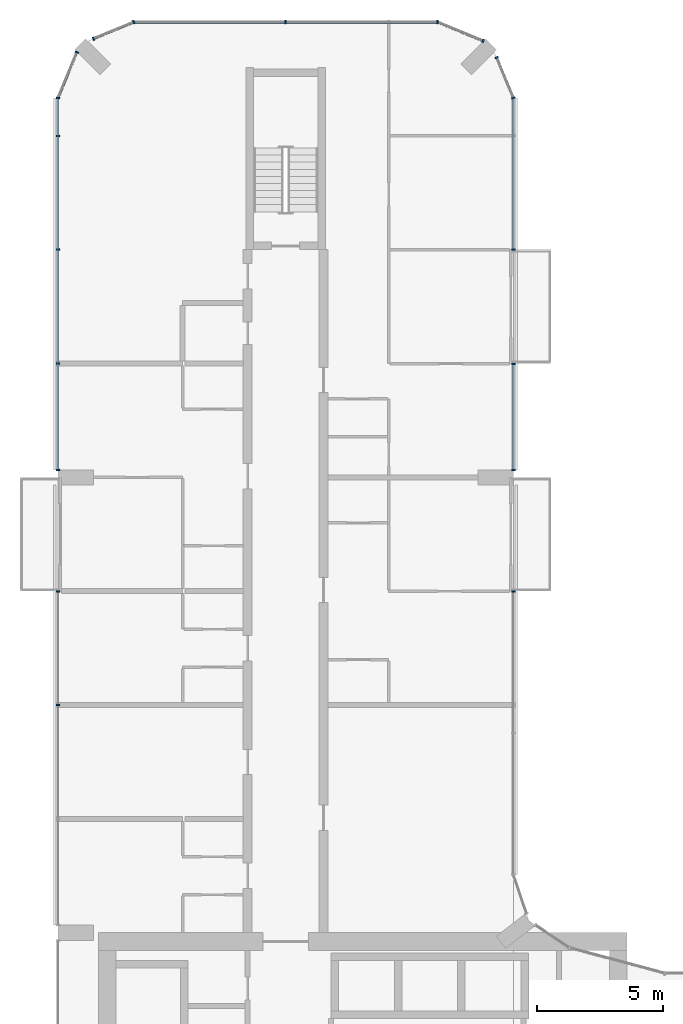
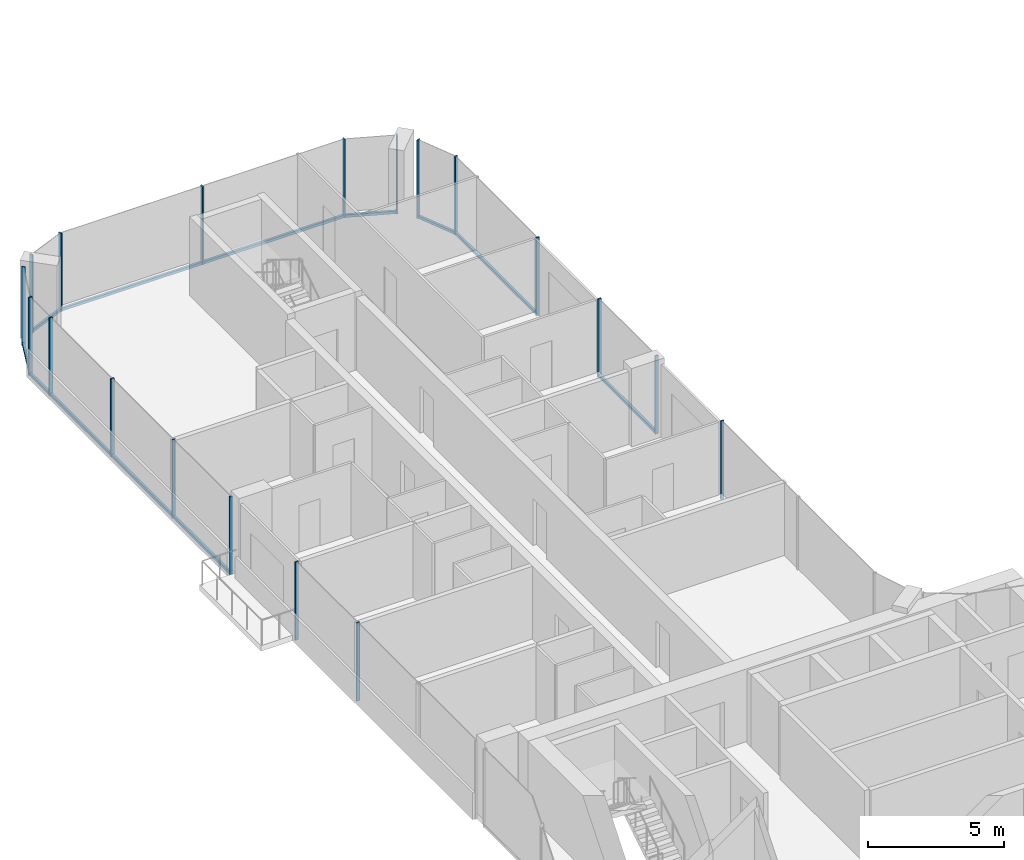
# One storey, part 6 of 22: 27 members, 10 elements without a shape of their own.
"""IFC4 building model written with IfcOpenShell, lengths in metres."""

from ifc_helpers import new_model, si_unit, direction, frame, origin, origin_2d, place, context, subcontext, project, spatial, rectangle, extrude, material, layer, layer_set, material_profile, profile_set, type_object, element, aggregate, save


model = new_model("IFC4")

# Units and contexts
model_context = context("Model", 3, precision=1e-05, world=origin(), true_north=direction((0.0, 1.0)))
body_context = subcontext(model_context, "Body", "Model", "MODEL_VIEW")
ifc_project = project(units=[si_unit("LENGTHUNIT", "METRE"), si_unit("AREAUNIT", "SQUARE_METRE"), si_unit("VOLUMEUNIT", "CUBIC_METRE"), si_unit("PLANEANGLEUNIT", "RADIAN"), si_unit("MASSUNIT", "GRAM", prefix="KILO")], contexts=[model_context])

# Site, building, storey
site_placement = place(None, origin())
site = spatial("IfcSite", under=ifc_project, at=site_placement, CompositionType="ELEMENT")
building_placement = place(site_placement, origin())
building = spatial("IfcBuilding", under=site, at=building_placement, Name="Plateau Cross Towers", CompositionType="ELEMENT")
storey_placement = place(building_placement, frame((0.0, 0.0, 65.300048828125)))
storey = spatial("IfcBuildingStorey", under=building, at=storey_placement, Name="L16", CompositionType="ELEMENT", Elevation=65.300048828125)

# Curtain wall, member
ifc_material_1 = material(Name="Dark low-iron glass", Category="glass")
ifc_layer = layer(ifc_material_1, 0.239990234375)
ifc_layer_set = layer_set([ifc_layer], Name="Dark low-iron glass")
curtain_wall_type = type_object("IfcCurtainWallType", Name="Curtain wall flush unitised CW-B", PredefinedType="NOTDEFINED", material=ifc_layer_set)
curtain_wall_1_placement = place(storey_placement, origin())
curtain_wall_1 = element("IfcCurtainWall", 1, at=curtain_wall_1_placement, inside=storey, type_object=curtain_wall_type, Name="ENV/A/L16/A180_203", PredefinedType="NOTDEFINED")
ifc_material_2 = material(Name="Black anodised aluminium", Category="aluminium")
ifc_material_profile_1 = material_profile(ifc_material_2, rectangle(XDim=0.06005859375, YDim=0.139892578125, at=origin_2d()), Name="MULLION 60x140")
ifc_profile_set_1 = profile_set([ifc_material_profile_1], Name="Black anodised aluminium")
member_type_1 = type_object("IfcMemberType", Name="Mullion 60x140 flush unitised", PredefinedType="MULLION", material=ifc_profile_set_1)
member_1_placement = place(storey_placement, frame((18.0, 31.489990234375, -0.25), z_axis=(0.0, 0.0, 1.0), x_axis=(0.0, 1.0, 0.0)))
member_1 = element("IfcMember", 2, at=member_1_placement, type_object=member_type_1, Name="CW-B mullion 3", PredefinedType="MULLION", context=body_context, shape_type="SweptSolid", body=[
    extrude(rectangle(XDim=0.06005859375, YDim=0.139892578125, at=origin_2d()), origin(), (0.0, 0.0, 1.0), 3.5),
])
aggregate(curtain_wall_1, [member_1])

# Curtain wall, members
curtain_wall_2_placement = place(storey_placement, origin())
curtain_wall_2 = element("IfcCurtainWall", 3, at=curtain_wall_2_placement, inside=storey, type_object=curtain_wall_type, Name="ENV/A/L16/A180_363", PredefinedType="NOTDEFINED")
member_2_placement = place(storey_placement, frame((18.0, 36.300048828125, -0.25), z_axis=(0.0, 0.0, 1.0), x_axis=(0.0, 1.0, 0.0)))
member_2 = element("IfcMember", 4, at=member_2_placement, type_object=member_type_1, Name="CW-B mullion 1", PredefinedType="MULLION", context=body_context, shape_type="SweptSolid", body=[
    extrude(rectangle(XDim=0.06005859375, YDim=0.139892578125, at=origin_2d()), origin(), (0.0, 0.0, 1.0), 3.5),
])
member_3_placement = place(storey_placement, frame((18.0, 40.489990234375, -0.25), z_axis=(0.0, 0.0, 1.0), x_axis=(0.0, 1.0, 0.0)))
member_3 = element("IfcMember", 5, at=member_3_placement, type_object=member_type_1, Name="CW-B mullion 2", PredefinedType="MULLION", context=body_context, shape_type="SweptSolid", body=[
    extrude(rectangle(XDim=0.06005859375, YDim=0.139892578125, at=origin_2d()), origin(), (0.0, 0.0, 1.0), 3.5),
])

# Curtain wall, member
curtain_wall_3_placement = place(storey_placement, origin())
curtain_wall_3 = element("IfcCurtainWall", 6, at=curtain_wall_3_placement, inside=storey, type_object=curtain_wall_type, Name="ENV/A/L16/A180_450", PredefinedType="NOTDEFINED")
member_4_placement = place(storey_placement, frame((18.0, 45.010009765625, -0.25), z_axis=(0.0, 0.0, 1.0), x_axis=(0.0, 1.0, 0.0)))
member_4 = element("IfcMember", 7, at=member_4_placement, type_object=member_type_1, Name="CW-B mullion 1", PredefinedType="MULLION", context=body_context, shape_type="SweptSolid", body=[
    extrude(rectangle(XDim=0.06005859375, YDim=0.139892578125, at=origin_2d()), origin(), (0.0, 0.0, 1.0), 3.5),
])

# Curtain wall, members
curtain_wall_4_placement = place(storey_placement, origin())
curtain_wall_4 = element("IfcCurtainWall", 8, at=curtain_wall_4_placement, inside=storey, type_object=curtain_wall_type, Name="ENV/A/L16/A180_510", PredefinedType="NOTDEFINED")
member_5_placement = place(storey_placement, frame((18.0, 51.0, -0.25), z_axis=(0.0, 0.0, 1.0), x_axis=(-0.382683612978, 0.923879457699, 0.0)))
member_5 = element("IfcMember", 9, at=member_5_placement, type_object=member_type_1, Name="CW-B mullion 1", PredefinedType="MULLION", context=body_context, shape_type="SweptSolid", body=[
    extrude(rectangle(XDim=0.06005859375, YDim=0.139892578125, at=origin_2d()), origin(), (0.0, 0.0, 1.0), 3.5),
])
member_6_placement = place(storey_placement, frame((17.338623046875, 52.5966796875, -0.25), z_axis=(0.0, 0.0, 1.0), x_axis=(-0.382683612978, 0.923879457699, 0.0)))
member_6 = element("IfcMember", 10, at=member_6_placement, type_object=member_type_1, Name="CW-B mullion 2", PredefinedType="MULLION", context=body_context, shape_type="SweptSolid", body=[
    extrude(rectangle(XDim=0.06005859375, YDim=0.139892578125, at=origin_2d()), origin(), (0.0, 0.0, 1.0), 3.5),
])

# Curtain wall, member
curtain_wall_5_placement = place(storey_placement, origin())
curtain_wall_5 = element("IfcCurtainWall", 11, at=curtain_wall_5_placement, inside=storey, type_object=curtain_wall_type, Name="ENV/A/L16/A168_533", PredefinedType="NOTDEFINED")
member_7_placement = place(storey_placement, frame((16.805908203125, 53.251953125, -0.25), z_axis=(0.0, 0.0, 1.0), x_axis=(-0.923879457699, 0.382683612978, 0.0)))
member_7 = element("IfcMember", 12, at=member_7_placement, type_object=member_type_1, Name="CW-B mullion 1", PredefinedType="MULLION", context=body_context, shape_type="SweptSolid", body=[
    extrude(rectangle(XDim=0.06005859375, YDim=0.139892578125, at=origin_2d()), origin(), (0.0, 0.0, 1.0), 3.5),
])

# Curtain wall, members
curtain_wall_6_placement = place(storey_placement, origin())
curtain_wall_6 = element("IfcCurtainWall", 13, at=curtain_wall_6_placement, inside=storey, type_object=curtain_wall_type, Name="ENV/A/L16/A150_540", PredefinedType="NOTDEFINED")
member_8_placement = place(storey_placement, frame((15.0, 54.0, -0.25), z_axis=(0.0, 0.0, 1.0), x_axis=(-1.0, 0.0, 0.0)))
member_8 = element("IfcMember", 14, at=member_8_placement, type_object=member_type_1, Name="CW-B mullion 1", PredefinedType="MULLION", context=body_context, shape_type="SweptSolid", body=[
    extrude(rectangle(XDim=0.06005859375, YDim=0.139892578125, at=origin_2d()), origin(), (0.0, 0.0, 1.0), 3.5),
])
member_9_placement = place(storey_placement, frame((9.0, 54.0, -0.25), z_axis=(0.0, 0.0, 1.0), x_axis=(-1.0, 0.0, 0.0)))
member_9 = element("IfcMember", 15, at=member_9_placement, type_object=member_type_1, Name="CW-B mullion 2", PredefinedType="MULLION", context=body_context, shape_type="SweptSolid", body=[
    extrude(rectangle(XDim=0.06005859375, YDim=0.139892578125, at=origin_2d()), origin(), (0.0, 0.0, 1.0), 3.5),
])

curtain_wall_7_placement = place(storey_placement, origin())
curtain_wall_7 = element("IfcCurtainWall", 16, at=curtain_wall_7_placement, inside=storey, type_object=curtain_wall_type, Name="ENV/A/L16/A30_540", PredefinedType="NOTDEFINED")
member_10_placement = place(storey_placement, frame((3.0, 54.0, -0.25), z_axis=(0.0, 0.0, 1.0), x_axis=(-0.923879457699, -0.382683612978, 0.0)))
member_10 = element("IfcMember", 17, at=member_10_placement, type_object=member_type_1, Name="CW-B mullion 1", PredefinedType="MULLION", context=body_context, shape_type="SweptSolid", body=[
    extrude(rectangle(XDim=0.06005859375, YDim=0.139892578125, at=origin_2d()), origin(), (0.0, 0.0, 1.0), 3.5),
])
member_11_placement = place(storey_placement, frame((1.4033203125, 53.338623046875, -0.25), z_axis=(0.0, 0.0, 1.0), x_axis=(-0.923879457699, -0.382683612978, 0.0)))
member_11 = element("IfcMember", 18, at=member_11_placement, type_object=member_type_1, Name="CW-B mullion 2", PredefinedType="MULLION", context=body_context, shape_type="SweptSolid", body=[
    extrude(rectangle(XDim=0.06005859375, YDim=0.139892578125, at=origin_2d()), origin(), (0.0, 0.0, 1.0), 3.5),
])

# Curtain wall, member
curtain_wall_8_placement = place(storey_placement, origin())
curtain_wall_8 = element("IfcCurtainWall", 19, at=curtain_wall_8_placement, inside=storey, type_object=curtain_wall_type, Name="ENV/A/L16/A7_528", PredefinedType="NOTDEFINED")
member_12_placement = place(storey_placement, frame((0.748046875, 52.805908203125, -0.25), z_axis=(0.0, 0.0, 1.0), x_axis=(-0.382683612978, -0.923879457699, 0.0)))
member_12 = element("IfcMember", 20, at=member_12_placement, type_object=member_type_1, Name="CW-B mullion 1", PredefinedType="MULLION", context=body_context, shape_type="SweptSolid", body=[
    extrude(rectangle(XDim=0.06005859375, YDim=0.139892578125, at=origin_2d()), origin(), (0.0, 0.0, 1.0), 3.5),
])

# Curtain wall, members
curtain_wall_9_placement = place(storey_placement, origin())
curtain_wall_9 = element("IfcCurtainWall", 21, at=curtain_wall_9_placement, inside=storey, type_object=curtain_wall_type, Name="ENV/A/L16/A0_510", PredefinedType="NOTDEFINED")
member_13_placement = place(storey_placement, frame((0.0, 51.0, -0.25), z_axis=(0.0, 0.0, 1.0), x_axis=(0.0, -1.0, 0.0)))
member_13 = element("IfcMember", 22, at=member_13_placement, type_object=member_type_1, Name="CW-B mullion 1", PredefinedType="MULLION", context=body_context, shape_type="SweptSolid", body=[
    extrude(rectangle(XDim=0.06005859375, YDim=0.139892578125, at=origin_2d()), origin(), (0.0, 0.0, 1.0), 3.5),
])
member_14_placement = place(storey_placement, frame((0.0, 49.5, -0.25), z_axis=(0.0, 0.0, 1.0), x_axis=(0.0, -1.0, 0.0)))
member_14 = element("IfcMember", 23, at=member_14_placement, type_object=member_type_1, Name="CW-B mullion 2", PredefinedType="MULLION", context=body_context, shape_type="SweptSolid", body=[
    extrude(rectangle(XDim=0.06005859375, YDim=0.139892578125, at=origin_2d()), origin(), (0.0, 0.0, 1.0), 3.5),
])
member_15_placement = place(storey_placement, frame((0.0, 45.0, -0.25), z_axis=(0.0, 0.0, 1.0), x_axis=(0.0, -1.0, 0.0)))
member_15 = element("IfcMember", 24, at=member_15_placement, type_object=member_type_1, Name="CW-B mullion 3", PredefinedType="MULLION", context=body_context, shape_type="SweptSolid", body=[
    extrude(rectangle(XDim=0.06005859375, YDim=0.139892578125, at=origin_2d()), origin(), (0.0, 0.0, 1.0), 3.5),
])
member_16_placement = place(storey_placement, frame((0.0, 40.5, -0.25), z_axis=(0.0, 0.0, 1.0), x_axis=(0.0, -1.0, 0.0)))
member_16 = element("IfcMember", 25, at=member_16_placement, type_object=member_type_1, Name="CW-B mullion 4", PredefinedType="MULLION", context=body_context, shape_type="SweptSolid", body=[
    extrude(rectangle(XDim=0.06005859375, YDim=0.139892578125, at=origin_2d()), origin(), (0.0, 0.0, 1.0), 3.5),
])
member_17_placement = place(storey_placement, frame((0.0, 36.300048828125, -0.25), z_axis=(0.0, 0.0, 1.0), x_axis=(0.0, -1.0, 0.0)))
member_17 = element("IfcMember", 26, at=member_17_placement, type_object=member_type_1, Name="CW-B mullion 5", PredefinedType="MULLION", context=body_context, shape_type="SweptSolid", body=[
    extrude(rectangle(XDim=0.06005859375, YDim=0.139892578125, at=origin_2d()), origin(), (0.0, 0.0, 1.0), 3.5),
])

curtain_wall_10_placement = place(storey_placement, origin())
curtain_wall_10 = element("IfcCurtainWall", 27, at=curtain_wall_10_placement, inside=storey, type_object=curtain_wall_type, Name="ENV/A/L16/A0_315", PredefinedType="NOTDEFINED")
member_18_placement = place(storey_placement, frame((0.0, 31.489990234375, -0.25), z_axis=(0.0, 0.0, 1.0), x_axis=(0.0, -1.0, 0.0)))
member_18 = element("IfcMember", 28, at=member_18_placement, type_object=member_type_1, Name="CW-B mullion 1", PredefinedType="MULLION", context=body_context, shape_type="SweptSolid", body=[
    extrude(rectangle(XDim=0.06005859375, YDim=0.139892578125, at=origin_2d()), origin(), (0.0, 0.0, 1.0), 3.5),
])
member_19_placement = place(storey_placement, frame((0.0, 27.0, -0.25), z_axis=(0.0, 0.0, 1.0), x_axis=(0.0, -1.0, 0.0)))
member_19 = element("IfcMember", 29, at=member_19_placement, type_object=member_type_1, Name="CW-B mullion 2", PredefinedType="MULLION", context=body_context, shape_type="SweptSolid", body=[
    extrude(rectangle(XDim=0.06005859375, YDim=0.139892578125, at=origin_2d()), origin(), (0.0, 0.0, 1.0), 3.5),
])
aggregate(curtain_wall_10, [member_18, member_19])

# Member
ifc_material_profile_2 = material_profile(ifc_material_2, rectangle(XDim=0.10009765625, YDim=0.1201171875, at=origin_2d()), Name="TRANSOM 100x120")
ifc_profile_set_2 = profile_set([ifc_material_profile_2], Name="Black anodised aluminium")
member_type_2 = type_object("IfcMemberType", Name="Transom 100x120 flush unitised", PredefinedType="USERDEFINED", material=ifc_profile_set_2)
member_20_placement = place(storey_placement, frame((18.0, 36.300048828125, -0.18994140625), z_axis=(0.0, 1.0, 0.0), x_axis=(-1.0, 0.0, 0.0)))
member_20 = element("IfcMember", 30, at=member_20_placement, type_object=member_type_2, Name="CW-B transom", ObjectType="TRANSOM", PredefinedType="USERDEFINED", context=body_context, shape_type="SweptSolid", body=[
    extrude(rectangle(XDim=0.10009765625, YDim=0.1201171875, at=origin_2d()), origin(), (0.0, 0.0, 1.0), 4.18994140625),
])

aggregate(curtain_wall_2, [member_2, member_3, member_20])

member_21_placement = place(storey_placement, frame((18.0, 45.010009765625, -0.18994140625), z_axis=(0.0, 1.0, 0.0), x_axis=(-1.0, 0.0, 0.0)))
member_21 = element("IfcMember", 31, at=member_21_placement, type_object=member_type_2, Name="CW-B transom", ObjectType="TRANSOM", PredefinedType="USERDEFINED", context=body_context, shape_type="SweptSolid", body=[
    extrude(rectangle(XDim=0.10009765625, YDim=0.1201171875, at=origin_2d()), origin(), (0.0, 0.0, 1.0), 5.989990234375),
])

aggregate(curtain_wall_3, [member_4, member_21])

member_22_placement = place(storey_placement, frame((18.0, 51.0, -0.18994140625), z_axis=(-0.382688653628, 0.923877369776, 0.0), x_axis=(-0.923877369776, -0.382688653628, 0.0)))
member_22 = element("IfcMember", 32, at=member_22_placement, type_object=member_type_2, Name="CW-B transom", ObjectType="TRANSOM", PredefinedType="USERDEFINED", context=body_context, shape_type="SweptSolid", body=[
    extrude(rectangle(XDim=0.10009765625, YDim=0.1201171875, at=origin_2d()), origin(), (0.0, 0.0, 1.0), 1.728271484375),
])

aggregate(curtain_wall_4, [member_5, member_6, member_22])

member_23_placement = place(storey_placement, frame((16.805908203125, 53.251953125, -0.18994140625), z_axis=(-0.92387678234, 0.382690071798, 0.0), x_axis=(-0.382690071798, -0.92387678234, 0.0)))
member_23 = element("IfcMember", 33, at=member_23_placement, type_object=member_type_2, Name="CW-B transom", ObjectType="TRANSOM", PredefinedType="USERDEFINED", context=body_context, shape_type="SweptSolid", body=[
    extrude(rectangle(XDim=0.10009765625, YDim=0.1201171875, at=origin_2d()), origin(), (0.0, 0.0, 1.0), 1.95458984375),
])

aggregate(curtain_wall_5, [member_7, member_23])

member_24_placement = place(storey_placement, frame((15.0, 54.0, -0.18994140625), z_axis=(-1.0, 0.0, 0.0), x_axis=(0.0, -1.0, 0.0)))
member_24 = element("IfcMember", 34, at=member_24_placement, type_object=member_type_2, Name="CW-B transom", ObjectType="TRANSOM", PredefinedType="USERDEFINED", context=body_context, shape_type="SweptSolid", body=[
    extrude(rectangle(XDim=0.10009765625, YDim=0.1201171875, at=origin_2d()), origin(), (0.0, 0.0, 1.0), 12.0),
])

aggregate(curtain_wall_6, [member_8, member_9, member_24])

member_25_placement = place(storey_placement, frame((3.0, 54.0, -0.18994140625), z_axis=(-0.923877369776, -0.382688653628, 0.0), x_axis=(0.382688653628, -0.923877369776, 0.0)))
member_25 = element("IfcMember", 35, at=member_25_placement, type_object=member_type_2, Name="CW-B transom", ObjectType="TRANSOM", PredefinedType="USERDEFINED", context=body_context, shape_type="SweptSolid", body=[
    extrude(rectangle(XDim=0.10009765625, YDim=0.1201171875, at=origin_2d()), origin(), (0.0, 0.0, 1.0), 1.728271484375),
])

aggregate(curtain_wall_7, [member_10, member_11, member_25])

member_26_placement = place(storey_placement, frame((0.748046875, 52.805908203125, -0.18994140625), z_axis=(-0.382690071798, -0.92387678234, 0.0), x_axis=(0.92387678234, -0.382690071798, 0.0)))
member_26 = element("IfcMember", 36, at=member_26_placement, type_object=member_type_2, Name="CW-B transom", ObjectType="TRANSOM", PredefinedType="USERDEFINED", context=body_context, shape_type="SweptSolid", body=[
    extrude(rectangle(XDim=0.10009765625, YDim=0.1201171875, at=origin_2d()), origin(), (0.0, 0.0, 1.0), 1.95458984375),
])

aggregate(curtain_wall_8, [member_12, member_26])

member_27_placement = place(storey_placement, frame((0.0, 51.0, -0.18994140625), z_axis=(0.0, -1.0, 0.0), x_axis=(1.0, 0.0, 0.0)))
member_27 = element("IfcMember", 37, at=member_27_placement, type_object=member_type_2, Name="CW-B transom", ObjectType="TRANSOM", PredefinedType="USERDEFINED", context=body_context, shape_type="SweptSolid", body=[
    extrude(rectangle(XDim=0.10009765625, YDim=0.1201171875, at=origin_2d()), origin(), (0.0, 0.0, 1.0), 14.699951171875),
])

aggregate(curtain_wall_9, [member_13, member_14, member_15, member_16, member_17, member_27])

save(model, "model.ifc")
